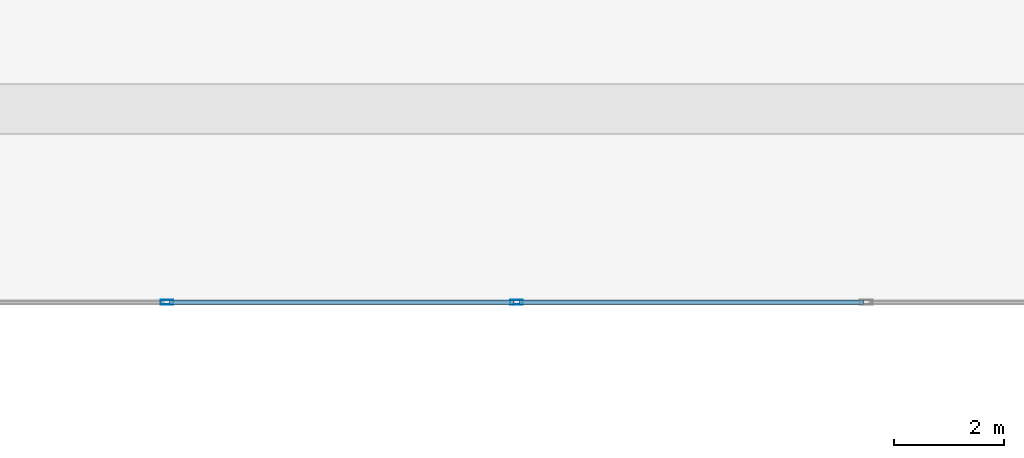
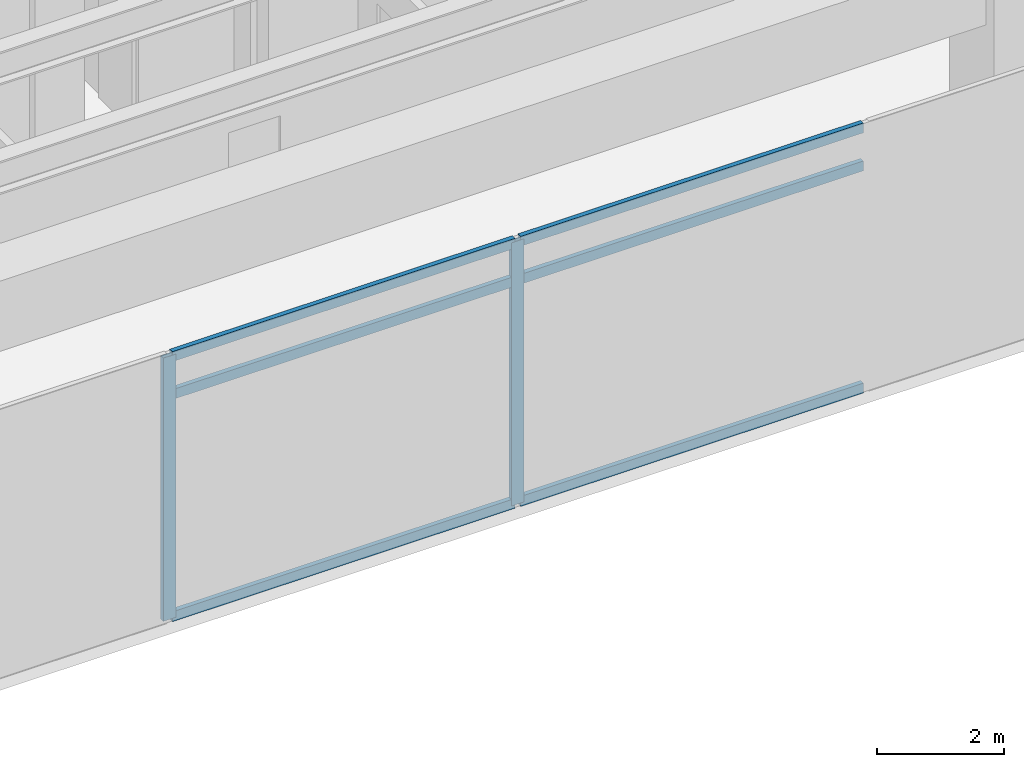
# One storey, part 4 of 24: 8 members, 1 element without a shape of its own.
"""IFC4 building model written with IfcOpenShell, lengths in metres."""

import ifcopenshell
import ifcopenshell.guid

model = None  # the IFC model being written
_history = None  # IfcOwnerHistory: only IFC2X3 demands one
_inside = {}  # id of a spatial element -> (the spatial element, [elements in it])
_under = {}  # id of a project, library or spatial element -> (it, [spatial elements below it])
_declared = {}  # id of a project -> (the project, [libraries it declares])
_typed = {}  # id of a type object -> (the type object, [elements of that type])
_made_of = {}  # id of a material, layer set ... -> (it, [elements and type objects made of it])


def new_model(schema):
    """Start an empty IFC model of exactly this schema.

    Asked for "IFC4X3", IfcOpenShell would pick the latest addendum, in which some entities
    have other attributes; the version numbers below select the first issue.
    IFC2X3 requires an IfcOwnerHistory on every rooted entity: one is made here for all.
    """
    global model, _history
    if schema == "IFC4X3":
        model = ifcopenshell.file(schema_version=(4, 3, 0, 0))
    else:
        model = ifcopenshell.file(schema=schema)
    _inside.clear()
    _under.clear()
    _declared.clear()
    _typed.clear()
    _made_of.clear()
    _history = None
    if model.schema == "IFC2X3":
        org = make("IfcOrganization", Name="unknown")
        user = make(
            "IfcPersonAndOrganization",
            ThePerson=make("IfcPerson", FamilyName="unknown"),
            TheOrganization=org,
        )
        app = make(
            "IfcApplication",
            ApplicationDeveloper=org,
            Version="unknown",
            ApplicationFullName="unknown",
            ApplicationIdentifier="unknown",
        )
        _history = make(
            "IfcOwnerHistory",
            OwningUser=user,
            OwningApplication=app,
            ChangeAction="ADDED",
            CreationDate=0,
        )
    return model


def make(cls, **values):
    """One entity of the class cls with the attributes given. An attribute that is None is left unset."""
    return model.create_entity(
        cls, **{name: value for name, value in values.items() if value is not None}
    )


def rooted(cls, **values):
    """An entity with a GlobalId (a new one), such as an element, a storey or a relation."""
    return make(cls, GlobalId=ifcopenshell.guid.new(), OwnerHistory=_history, **values)


def si_unit(unit_type, name, prefix=None):
    """IfcSIUnit, for example si_unit("LENGTHUNIT", "METRE", prefix="MILLI")."""
    return make("IfcSIUnit", UnitType=unit_type, Prefix=prefix, Name=name)


def assignment(units):
    """IfcUnitAssignment: the units of a project."""
    return None if units is None else make("IfcUnitAssignment", Units=units)


def point(xyz):
    """IfcCartesianPoint."""
    return None if xyz is None else make("IfcCartesianPoint", Coordinates=xyz)


def direction(xyz):
    """IfcDirection."""
    return None if xyz is None else make("IfcDirection", DirectionRatios=xyz)


def frame(location, z_axis=None, x_axis=None):
    """IfcAxis2Placement3D, a coordinate frame: its origin and axes. An axis left out is left unset."""
    return make(
        "IfcAxis2Placement3D",
        Location=point(location),
        Axis=direction(z_axis),
        RefDirection=direction(x_axis),
    )


def frame_2d(location, x_axis=None):
    """IfcAxis2Placement2D, a coordinate frame in the plane: its origin and x axis."""
    return make(
        "IfcAxis2Placement2D", Location=point(location), RefDirection=direction(x_axis)
    )


def origin():
    """The frame at (0, 0, 0) with its axes left unset."""
    return frame((0.0, 0.0, 0.0))


def origin_2d():
    """The frame at (0, 0) in the plane with its x axis left unset."""
    return frame_2d((0.0, 0.0))


def place(relative_to, where):
    """IfcLocalPlacement: puts the frame where relative to a parent placement (None: the world)."""
    return make(
        "IfcLocalPlacement", PlacementRelTo=relative_to, RelativePlacement=where
    )


def context(
    kind, dimensions, precision=None, world=None, true_north=None, identifier=None
):
    """IfcGeometricRepresentationContext, for example the 3D "Model" context."""
    return make(
        "IfcGeometricRepresentationContext",
        ContextIdentifier=identifier,
        ContextType=kind,
        CoordinateSpaceDimension=dimensions,
        Precision=precision,
        WorldCoordinateSystem=world,
        TrueNorth=true_north,
    )


def subcontext(parent, identifier, kind, view, scale=None):
    """IfcGeometricRepresentationSubContext, for example "Body" below "Model"."""
    return make(
        "IfcGeometricRepresentationSubContext",
        ContextIdentifier=identifier,
        ContextType=kind,
        ParentContext=parent,
        TargetScale=scale,
        TargetView=view,
    )


def project(units=None, contexts=None):
    """IfcProject with its units and contexts."""
    return rooted(
        "IfcProject",
        Name="project",
        RepresentationContexts=contexts,
        UnitsInContext=assignment(units),
    )


def spatial(cls, under=None, at=None, **own):
    """A site, building, storey or space (cls), placed at a placement, below another one or the project."""
    s = rooted(cls, ObjectPlacement=at, **own)
    if under is not None:
        _under.setdefault(under.id(), (under, []))[1].append(s)
    return s


def profile(cls, at=None, kind="AREA", **sizes):
    """A parametric profile (cls). Its sizes go by their IFC names, for example OverallWidth=200.0."""
    return make(cls, ProfileType=kind, Position=at, **sizes)


def hollow_rectangle(**sizes):
    """IfcRectangleHollowProfileDef."""
    return profile("IfcRectangleHollowProfileDef", **sizes)


def extrude(swept, where, along, depth):
    """IfcExtrudedAreaSolid: the profile swept, set in the frame where, extruded along a direction by depth."""
    return make(
        "IfcExtrudedAreaSolid",
        SweptArea=swept,
        Position=where,
        ExtrudedDirection=direction(along),
        Depth=depth,
    )


def shape(context_of_items, identifier, shape_type, items):
    """IfcShapeRepresentation: the items that make up one representation, for example the "Body"."""
    return make(
        "IfcShapeRepresentation",
        ContextOfItems=context_of_items,
        RepresentationIdentifier=identifier,
        RepresentationType=shape_type,
        Items=items,
    )


def material(Name=None, Category=None):
    """IfcMaterial."""
    return make("IfcMaterial", Name=Name, Category=Category)


def material_profile(
    of_material, cross_section, Name=None, Category=None, Priority=None
):
    """IfcMaterialProfile: a cross section and its material."""
    return make(
        "IfcMaterialProfile",
        Name=Name,
        Material=of_material,
        Profile=cross_section,
        Priority=Priority,
        Category=Category,
    )


def profile_set(profiles, Name=None, composite=None):
    """IfcMaterialProfileSet."""
    return make(
        "IfcMaterialProfileSet",
        Name=Name,
        MaterialProfiles=profiles,
        CompositeProfile=composite,
    )


def made_of(thing, what):
    """Note that an element or type object is made of a material, layer set ...; save() writes the relation."""
    if what is not None:
        _made_of.setdefault(what.id(), (what, []))[1].append(thing)
    return thing


def type_object(cls, material=None, **own):
    """A type object (cls), such as IfcWallType, which elements share."""
    return made_of(rooted(cls, **own), material)


def element(
    cls,
    number,
    at=None,
    inside=None,
    cuts=None,
    type_object=None,
    material=None,
    context=None,
    identifier="Body",
    shape_type=None,
    held_by="IfcProductDefinitionShape",
    body=None,
    shapes=None,
    **own,
):
    """One element of the class cls, such as IfcWall. Its Tag is "e" and its number.

    at: its placement. inside: the storey or other place that contains it. cuts: it is an
    opening in that element (IfcRelVoidsElement). A single representation is given by context,
    identifier, shape_type and body (its items); several are given by shapes. held_by: the class
    of the entity that holds the representations. save() writes the other relations.
    """
    e = rooted(cls, Tag="e%d" % number, ObjectPlacement=at, **own)
    if body is not None:
        shapes = [shape(context, identifier, shape_type, body)]
    if shapes is not None:
        e.Representation = make(held_by, Representations=shapes)
    if inside is not None:
        _inside.setdefault(inside.id(), (inside, []))[1].append(e)
    if cuts is not None:
        rooted(
            "IfcRelVoidsElement", RelatingBuildingElement=cuts, RelatedOpeningElement=e
        )
    if type_object is not None:
        _typed.setdefault(type_object.id(), (type_object, []))[1].append(e)
    return made_of(e, material)


def aggregate(whole, parts):
    """IfcRelAggregates: a whole, such as a stair, and the parts it consists of."""
    return rooted("IfcRelAggregates", RelatingObject=whole, RelatedObjects=parts)


def save(model, path):
    """Write the relations noted so far, then the file.

    IfcRelAggregates (storeys below a building ...), IfcRelContainedInSpatialStructure (elements
    in a storey), IfcRelDefinesByType, IfcRelAssociatesMaterial and IfcRelDeclares: one each for
    every whole, place, type object, material and project.
    """
    for whole, parts in _under.values():
        aggregate(whole, parts)
    for where, things in _inside.values():
        rooted(
            "IfcRelContainedInSpatialStructure",
            RelatedElements=things,
            RelatingStructure=where,
        )
    for kind, things in _typed.values():
        rooted("IfcRelDefinesByType", RelatedObjects=things, RelatingType=kind)
    for what, things in _made_of.values():
        rooted("IfcRelAssociatesMaterial", RelatedObjects=things, RelatingMaterial=what)
    for by, libraries in _declared.values():
        rooted("IfcRelDeclares", RelatingContext=by, RelatedDefinitions=libraries)
    model.write(path)


model = new_model("IFC4")

# Units and contexts
model_context = context("Model", 3, precision=1e-05, world=origin(), true_north=direction((0.0, 1.0)))
body_context = subcontext(model_context, "Body", "Model", "MODEL_VIEW")
ifc_project = project(units=[si_unit("LENGTHUNIT", "METRE"), si_unit("AREAUNIT", "SQUARE_METRE"), si_unit("VOLUMEUNIT", "CUBIC_METRE"), si_unit("PLANEANGLEUNIT", "RADIAN"), si_unit("MASSUNIT", "GRAM", prefix="KILO")], contexts=[model_context])

# Site, building, storey
site_placement = place(None, origin())
site = spatial("IfcSite", under=ifc_project, at=site_placement, CompositionType="ELEMENT")
building_placement = place(site_placement, origin())
building = spatial("IfcBuilding", under=site, at=building_placement, Name="Kovane Verandah Tower", CompositionType="ELEMENT")
storey_placement = place(building_placement, frame((0.0, 0.0, 194.800048828125)))
storey = spatial("IfcBuildingStorey", under=building, at=storey_placement, Name="L45", CompositionType="ELEMENT", Elevation=194.800048828125)

# Curtain wall, members
ifc_material_1 = material(Name="Champagne Anodised Aluminium Frame with Low-E Clear Laminated Glass", Category="aluminium")
curtain_wall_type = type_object("IfcCurtainWallType", Name="CW-SYS-04-WAIST", PredefinedType="NOTDEFINED", material=ifc_material_1)
curtain_wall_placement = place(storey_placement, origin())
curtain_wall = element("IfcCurtainWall", 1, at=curtain_wall_placement, inside=storey, type_object=curtain_wall_type, Name="L45 S Unitised Curtain Wall", PredefinedType="NOTDEFINED")
ifc_material_2 = material(Name="Champagne Anodised Aluminium 6063-T6", Category="aluminium")
ifc_material_profile_1 = material_profile(ifc_material_2, hollow_rectangle(XDim=0.0849609375, YDim=0.22998046875, WallThickness=0.00390625, at=origin_2d()), Name="AL85x230x4")
ifc_profile_set_1 = profile_set([ifc_material_profile_1], Name="Champagne Anodised Aluminium 6063-T6")
member_type_1 = type_object("IfcMemberType", Name="CW-MUL-85x230", PredefinedType="MULLION", material=ifc_profile_set_1)
member_1_placement = place(storey_placement, frame((33.666748046875, 7.300048828125, 0.02001953125), z_axis=(0.0, 0.0, 1.0), x_axis=(0.0, -1.0, 0.0)))
member_1 = element("IfcMember", 2, at=member_1_placement, type_object=member_type_1, Name="L45 S Unitised Curtain Wall Mullion 3", PredefinedType="MULLION", context=body_context, shape_type="SweptSolid", body=[
    extrude(hollow_rectangle(XDim=0.0849609375, YDim=0.22998046875, WallThickness=0.00390625, at=origin_2d()), origin(), (0.0, 0.0, 1.0), 5.059814453125),
])
member_2_placement = place(storey_placement, frame((40.0, 7.300048828125, 0.02001953125), z_axis=(0.0, 0.0, 1.0), x_axis=(0.0, -1.0, 0.0)))
member_2 = element("IfcMember", 3, at=member_2_placement, type_object=member_type_1, Name="L45 S Unitised Curtain Wall Mullion 4", PredefinedType="MULLION", context=body_context, shape_type="SweptSolid", body=[
    extrude(hollow_rectangle(XDim=0.0849609375, YDim=0.22998046875, WallThickness=0.00390625, at=origin_2d()), origin(), (0.0, 0.0, 1.0), 5.059814453125),
])
ifc_material_profile_2 = material_profile(ifc_material_2, hollow_rectangle(XDim=0.0849609375, YDim=0.18994140625, WallThickness=0.00390625, at=origin_2d()), Name="AL85x190x4")
ifc_profile_set_2 = profile_set([ifc_material_profile_2], Name="Champagne Anodised Aluminium 6063-T6")
member_type_2 = type_object("IfcMemberType", Name="CW-TRN-85x190", PredefinedType="USERDEFINED", material=ifc_profile_set_2)
member_3_placement = place(storey_placement, frame((33.716796875, 7.300048828125, 0.050048828125), z_axis=(1.0, 0.0, 0.0), x_axis=(0.0, 1.0, 0.0)))
member_3 = element("IfcMember", 4, at=member_3_placement, type_object=member_type_2, Name="L45 S Unitised Curtain Wall Transom TB Bay 3", ObjectType="TRANSOM", PredefinedType="USERDEFINED", context=body_context, shape_type="SweptSolid", body=[
    extrude(hollow_rectangle(XDim=0.0849609375, YDim=0.18994140625, WallThickness=0.00390625, at=origin_2d()), origin(), (0.0, 0.0, 1.0), 6.233154296875),
])
member_4_placement = place(storey_placement, frame((33.716796875, 7.300048828125, 4.320068359375), z_axis=(1.0, 0.0, 0.0), x_axis=(0.0, 1.0, 0.0)))
member_4 = element("IfcMember", 5, at=member_4_placement, type_object=member_type_2, Name="L45 S Unitised Curtain Wall Transom TM Bay 3", ObjectType="TRANSOM", PredefinedType="USERDEFINED", context=body_context, shape_type="SweptSolid", body=[
    extrude(hollow_rectangle(XDim=0.0849609375, YDim=0.18994140625, WallThickness=0.00390625, at=origin_2d()), origin(), (0.0, 0.0, 1.0), 6.233154296875),
])
member_5_placement = place(storey_placement, frame((33.716796875, 7.300048828125, 5.050048828125), z_axis=(1.0, 0.0, 0.0), x_axis=(0.0, 1.0, 0.0)))
member_5 = element("IfcMember", 6, at=member_5_placement, type_object=member_type_2, Name="L45 S Unitised Curtain Wall Transom TT Bay 3", ObjectType="TRANSOM", PredefinedType="USERDEFINED", context=body_context, shape_type="SweptSolid", body=[
    extrude(hollow_rectangle(XDim=0.0849609375, YDim=0.18994140625, WallThickness=0.00390625, at=origin_2d()), origin(), (0.0, 0.0, 1.0), 6.233154296875),
])
member_6_placement = place(storey_placement, frame((40.050048828125, 7.300048828125, 0.050048828125), z_axis=(1.0, 0.0, 0.0), x_axis=(0.0, 1.0, 0.0)))
member_6 = element("IfcMember", 7, at=member_6_placement, type_object=member_type_2, Name="L45 S Unitised Curtain Wall Transom TB Bay 4", ObjectType="TRANSOM", PredefinedType="USERDEFINED", context=body_context, shape_type="SweptSolid", body=[
    extrude(hollow_rectangle(XDim=0.0849609375, YDim=0.18994140625, WallThickness=0.00390625, at=origin_2d()), origin(), (0.0, 0.0, 1.0), 6.233154296875),
])
member_7_placement = place(storey_placement, frame((40.050048828125, 7.300048828125, 4.320068359375), z_axis=(1.0, 0.0, 0.0), x_axis=(0.0, 1.0, 0.0)))
member_7 = element("IfcMember", 8, at=member_7_placement, type_object=member_type_2, Name="L45 S Unitised Curtain Wall Transom TM Bay 4", ObjectType="TRANSOM", PredefinedType="USERDEFINED", context=body_context, shape_type="SweptSolid", body=[
    extrude(hollow_rectangle(XDim=0.0849609375, YDim=0.18994140625, WallThickness=0.00390625, at=origin_2d()), origin(), (0.0, 0.0, 1.0), 6.233154296875),
])
member_8_placement = place(storey_placement, frame((40.050048828125, 7.300048828125, 5.050048828125), z_axis=(1.0, 0.0, 0.0), x_axis=(0.0, 1.0, 0.0)))
member_8 = element("IfcMember", 9, at=member_8_placement, type_object=member_type_2, Name="L45 S Unitised Curtain Wall Transom TT Bay 4", ObjectType="TRANSOM", PredefinedType="USERDEFINED", context=body_context, shape_type="SweptSolid", body=[
    extrude(hollow_rectangle(XDim=0.0849609375, YDim=0.18994140625, WallThickness=0.00390625, at=origin_2d()), origin(), (0.0, 0.0, 1.0), 6.233154296875),
])
aggregate(curtain_wall, [member_1, member_2, member_3, member_4, member_5, member_6, member_7, member_8])

save(model, "model.ifc")
